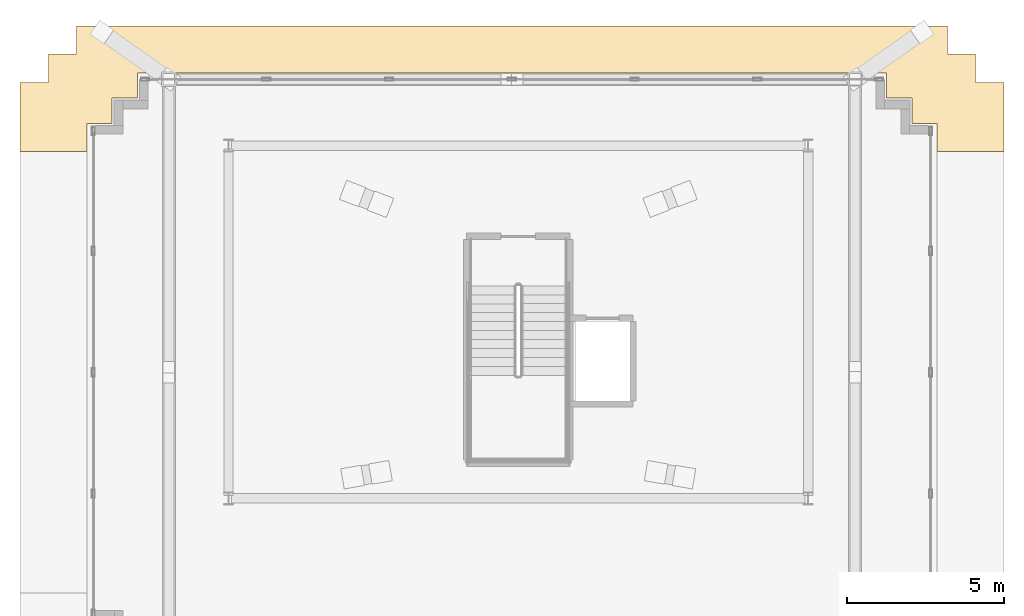
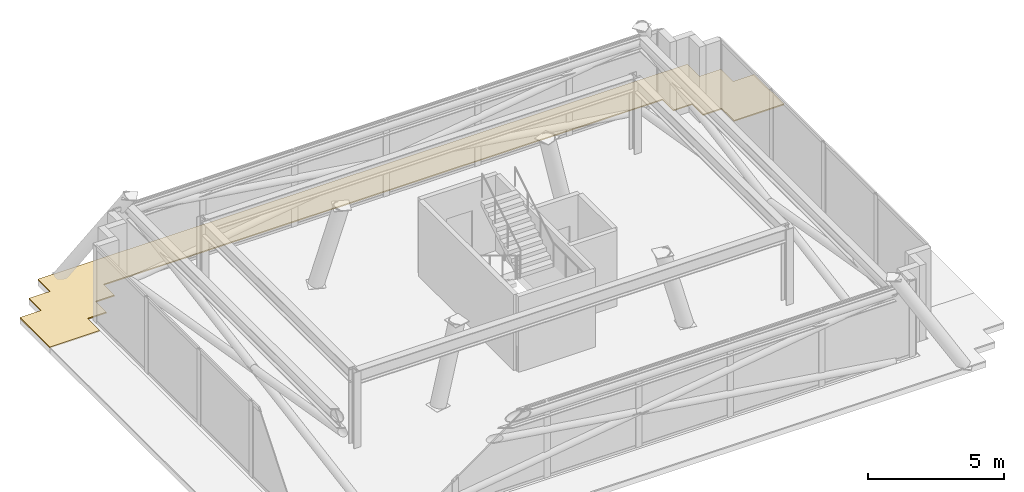
# One storey, part 13 of 13: 1 covering.
"""IFC4 building model written with IfcOpenShell, lengths in metres."""

from ifc_helpers import new_model, si_unit, direction, frame, origin, place, context, subcontext, project, spatial, polyline, outline, extrude, material, layer, layer_set, type_object, element, save


model = new_model("IFC4")

# Units and contexts
model_context = context("Model", 3, precision=1e-05, world=origin(), true_north=direction((0.0, 1.0)))
body_context = subcontext(model_context, "Body", "Model", "MODEL_VIEW")
ifc_project = project(units=[si_unit("LENGTHUNIT", "METRE"), si_unit("AREAUNIT", "SQUARE_METRE"), si_unit("VOLUMEUNIT", "CUBIC_METRE"), si_unit("PLANEANGLEUNIT", "RADIAN"), si_unit("MASSUNIT", "GRAM", prefix="KILO")], contexts=[model_context])

# Site, building, storey
site_placement = place(None, origin())
site = spatial("IfcSite", under=ifc_project, at=site_placement, CompositionType="ELEMENT")
building_placement = place(site_placement, origin())
building = spatial("IfcBuilding", under=site, at=building_placement, Name="Qobustan Lattice House", CompositionType="ELEMENT")
storey_placement = place(building_placement, frame((0.0, 0.0, 285.39990234375)))
storey = spatial("IfcBuildingStorey", under=building, at=storey_placement, Name="L80", CompositionType="ELEMENT", Elevation=285.39990234375)

# Covering
ifc_material = material(Name="Insulated stone-ballasted roof membrane", Category="masonry")
ifc_layer = layer(ifc_material, 0.050048828125)
ifc_layer_set = layer_set([ifc_layer], Name="Insulated stone-ballasted roof membrane")
covering_type = type_object("IfcCoveringType", Name="COV-ROOF-MEMB", PredefinedType="ROOFING", material=ifc_layer_set)
covering_placement = place(storey_placement, origin())
element("IfcCovering", 1, at=covering_placement, inside=storey, type_object=covering_type, Name="L80 crown step roof membrane 2", PredefinedType="ROOFING", context=body_context, shape_type="SweptSolid", body=[
    extrude(outline(polyline([(-15.820068359375, 5.406494140625), (-13.693603515625, 5.406494140625), (-13.693603515625, 6.306396484375), (-12.8935546875, 6.306396484375), (-12.8935546875, 7.1064453125), (-12.093505859375, 7.1064453125), (-12.093505859375, 7.906494140625), (11.693603515625, 7.906494140625), (11.693603515625, 7.1064453125), (12.493408203125, 7.1064453125), (12.493408203125, 6.306396484375), (13.29345703125, 6.306396484375), (13.29345703125, 5.406494140625), (15.419921875, 5.406494140625), (15.419921875, 7.60498046875), (14.52001953125, 7.60498046875), (14.52001953125, 8.5048828125), (13.6201171875, 8.5048828125), (13.6201171875, 9.405029296875), (-14.02001953125, 9.405029296875), (-14.02001953125, 8.5048828125), (-14.919921875, 8.5048828125), (-14.919921875, 7.60498046875), (-15.820068359375, 7.60498046875), (-15.820068359375, 5.406494140625)])), origin(), (0.0, 0.0, 1.0), 0.050048828125),
])

save(model, "model.ifc")
